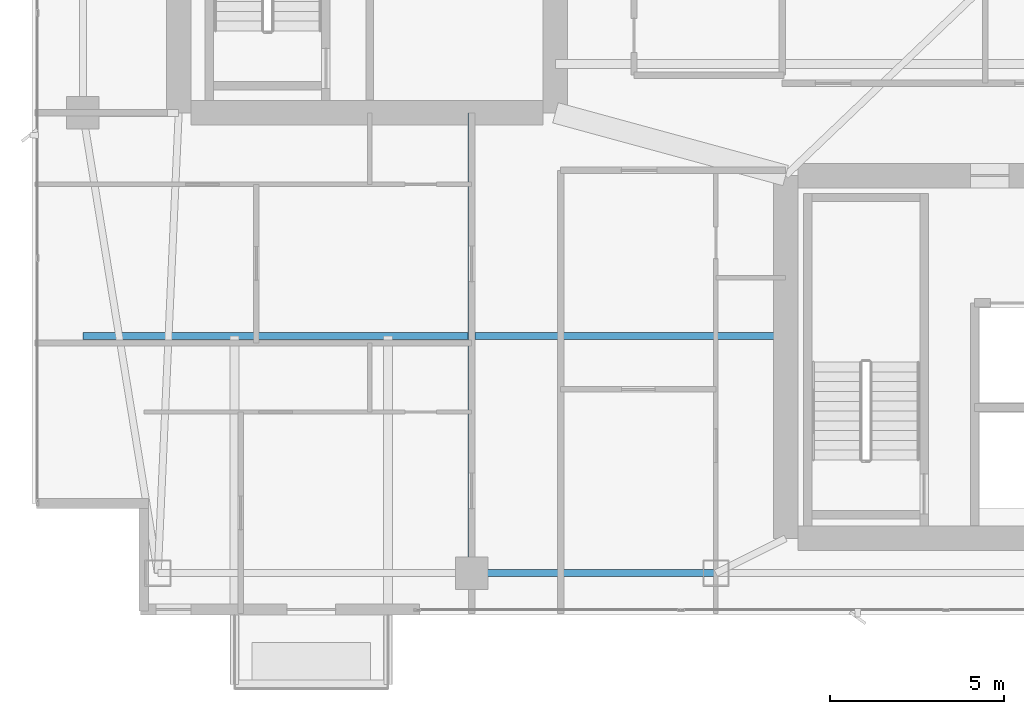
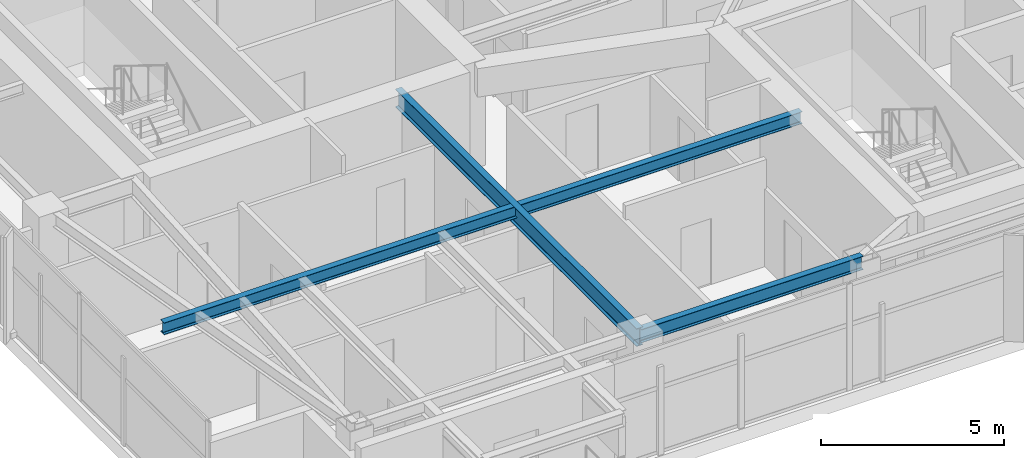
# One storey, part 5 of 29: 3 beams.
"""IFC4 building model written with IfcOpenShell, lengths in metres."""

from ifc_helpers import new_model, si_unit, direction, frame, origin, origin_2d, place, context, subcontext, project, spatial, i_section, extrude, material, material_profile, profile_set, type_object, element, save


model = new_model("IFC4")

# Units and contexts
model_context = context("Model", 3, precision=1e-05, world=origin(), true_north=direction((0.0, 1.0)))
body_context = subcontext(model_context, "Body", "Model", "MODEL_VIEW")
ifc_project = project(units=[si_unit("LENGTHUNIT", "METRE"), si_unit("AREAUNIT", "SQUARE_METRE"), si_unit("VOLUMEUNIT", "CUBIC_METRE"), si_unit("PLANEANGLEUNIT", "RADIAN"), si_unit("MASSUNIT", "GRAM", prefix="KILO")], contexts=[model_context])

# Site, building, storey
site_placement = place(None, origin())
site = spatial("IfcSite", under=ifc_project, at=site_placement, CompositionType="ELEMENT")
building_placement = place(site_placement, origin())
building = spatial("IfcBuilding", under=site, at=building_placement, Name="Calvorn Quay Hotel", CompositionType="ELEMENT")
storey_placement = place(building_placement, frame((0.0, 0.0, 199.60009765625)))
storey = spatial("IfcBuildingStorey", under=building, at=storey_placement, Name="L49", CompositionType="ELEMENT", Elevation=199.60009765625)

# Beams
ifc_material_1 = material(Name="Steel Q355B", Category="steel")
ifc_material_profile_1 = material_profile(ifc_material_1, i_section(OverallWidth=0.199951171875, OverallDepth=0.60009765625, WebThickness=0.010986328125, FlangeThickness=0.01708984375, FilletRadius=0.01806640625, at=origin_2d()), Name="HN600x200x11x17")
ifc_profile_set_1 = profile_set([ifc_material_profile_1], Name="Steel Q355B")
beam_type_1 = type_object("IfcBeamType", Name="BM-GIRD-TYP", PredefinedType="BEAM", material=ifc_profile_set_1)
beam_1_placement = place(storey_placement, frame((12.60009765625, 3.60009765625, 3.239990234375), z_axis=(0.0, 1.0, 0.0), x_axis=(-1.0, 0.0, 0.0)))
element("IfcBeam", 1, at=beam_1_placement, inside=storey, type_object=beam_type_1, Name="Beam BG-L49-S1", PredefinedType="BEAM", context=body_context, shape_type="SweptSolid", body=[
    extrude(i_section(OverallWidth=0.199951171875, OverallDepth=0.60009765625, WebThickness=0.010986328125, FlangeThickness=0.01708984375, FilletRadius=0.01806640625, at=origin_2d()), origin(), (0.0, 0.0, 1.0), 13.199951171875),
])
ifc_material_2 = material(Name="Steel Q355B", Category="steel")
ifc_material_profile_2 = material_profile(ifc_material_2, i_section(OverallWidth=0.199951171875, OverallDepth=0.39990234375, WebThickness=0.008056640625, FlangeThickness=0.012939453125, FilletRadius=0.01611328125, at=origin_2d()), Name="HN400x200x8x13")
ifc_profile_set_2 = profile_set([ifc_material_profile_2], Name="Steel Q355B")
beam_type_2 = type_object("IfcBeamType", Name="BM-JOIST-TYP", PredefinedType="JOIST", material=ifc_profile_set_2)
beam_2_placement = place(storey_placement, frame((1.449951171875, 10.39990234375, 3.33984375), z_axis=(1.0, 0.0, 0.0), x_axis=(0.0, 1.0, 0.0)))
element("IfcBeam", 2, at=beam_2_placement, inside=storey, type_object=beam_type_2, Name="Beam BJ-L49-W1", PredefinedType="JOIST", context=body_context, shape_type="SweptSolid", body=[
    extrude(i_section(OverallWidth=0.199951171875, OverallDepth=0.39990234375, WebThickness=0.008056640625, FlangeThickness=0.012939453125, FilletRadius=0.01611328125, at=origin_2d()), origin(), (0.0, 0.0, 1.0), 20.150146484375),
])
ifc_material_3 = material(Name="Steel Q355B", Category="steel")
ifc_material_profile_3 = material_profile(ifc_material_3, i_section(OverallWidth=0.199951171875, OverallDepth=0.449951171875, WebThickness=0.009033203125, FlangeThickness=0.013916015625, FilletRadius=0.01611328125, at=origin_2d()), Name="HN450x200x9x14")
ifc_profile_set_3 = profile_set([ifc_material_profile_3], Name="Steel Q355B")
beam_type_3 = type_object("IfcBeamType", Name="BM-SPANDREL-Z3", PredefinedType="SPANDREL", material=ifc_profile_set_3)
beam_3_placement = place(storey_placement, frame((12.60009765625, 3.60009765625, 3.31494140625), z_axis=(1.0, 0.0, 0.0), x_axis=(0.0, 1.0, 0.0)))
element("IfcBeam", 3, at=beam_3_placement, inside=storey, type_object=beam_type_3, Name="Beam BSP-L49-S2", PredefinedType="SPANDREL", context=body_context, shape_type="SweptSolid", body=[
    extrude(i_section(OverallWidth=0.199951171875, OverallDepth=0.449951171875, WebThickness=0.009033203125, FlangeThickness=0.013916015625, FilletRadius=0.01611328125, at=origin_2d()), origin(), (0.0, 0.0, 1.0), 7.0),
])

save(model, "model.ifc")
